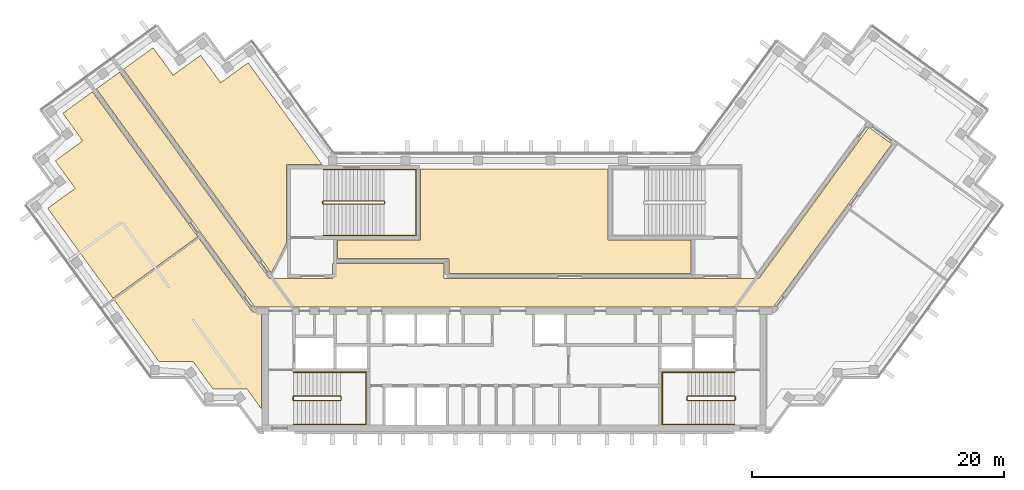
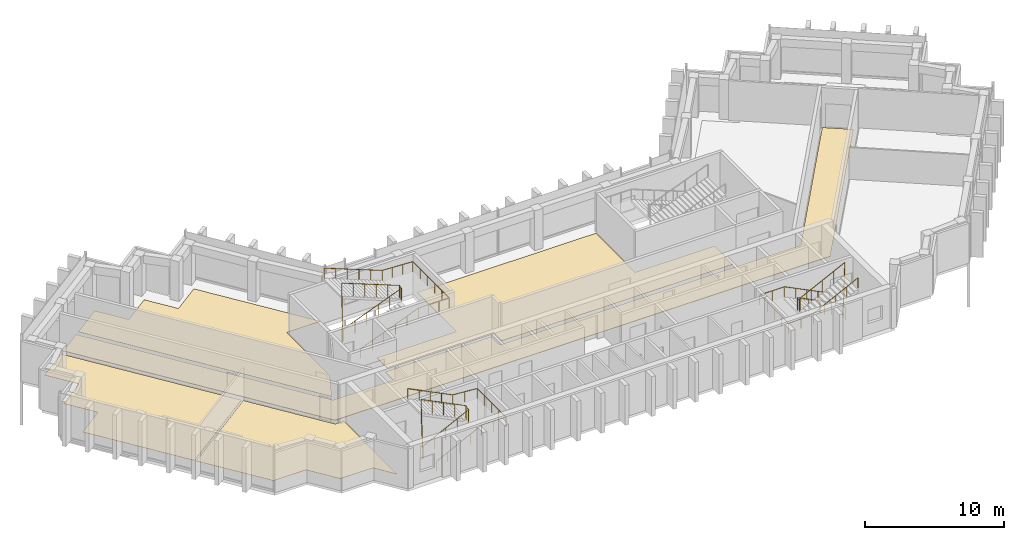
# One storey, part 12 of 13: 6 railings, 5 coverings.
"""IFC4 building model written with IfcOpenShell, lengths in metres."""

from ifc_helpers import new_model, si_unit, direction, frame, origin, origin_2d, place, context, subcontext, project, spatial, polyline, circle, outline, extrude, material, layer, layer_set, type_object, element, save


model = new_model("IFC4")

# Units and contexts
model_context = context("Model", 3, precision=1e-05, world=origin(), true_north=direction((0.0, 1.0)))
body_context = subcontext(model_context, "Body", "Model", "MODEL_VIEW")
ifc_project = project(units=[si_unit("LENGTHUNIT", "METRE"), si_unit("AREAUNIT", "SQUARE_METRE"), si_unit("VOLUMEUNIT", "CUBIC_METRE"), si_unit("PLANEANGLEUNIT", "RADIAN"), si_unit("MASSUNIT", "GRAM", prefix="KILO")], contexts=[model_context])

# Site, building, storey
site_placement = place(None, origin())
site = spatial("IfcSite", under=ifc_project, at=site_placement, CompositionType="ELEMENT")
building_placement = place(site_placement, origin())
building = spatial("IfcBuilding", under=site, at=building_placement, Name="Quipu Civic Tower", CompositionType="ELEMENT")
storey_placement = place(building_placement, frame((0.0, 0.0, 269.0)))
storey = spatial("IfcBuildingStorey", under=building, at=storey_placement, Name="L63", CompositionType="ELEMENT", Elevation=269.0)

# Coverings
ifc_material_1 = material(Name="Carpet tile on raised access floor")
ifc_layer_1 = layer(ifc_material_1, 0.02001953125)
ifc_layer_set_1 = layer_set([ifc_layer_1], Name="Carpet tile on raised access floor")
covering_type_1 = type_object("IfcCoveringType", Name="Carpet tile floor finish 20", PredefinedType="FLOORING", material=ifc_layer_set_1)
covering_1_placement = place(storey_placement, origin())
element("IfcCovering", 1, at=covering_1_placement, inside=storey, type_object=covering_type_1, Name="Carpet tile floor finish 20", PredefinedType="FLOORING", context=body_context, shape_type="SweptSolid", body=[
    extrude(outline(polyline([(-31.013916015625, 17.7451171875), (-28.658935546875, 19.455078125), (-27.073974609375, 17.27197265625), (-24.887939453125, 18.85791015625), (-23.301025390625, 16.675048828125), (-21.116943359375, 18.260986328125), (-15.238037109375, 10.169921875), (-18.070068359375, 10.1689453125), (-18.070068359375, 3.94189453125), (-19.27197265625, 1.583984375), (-31.013916015625, 17.7451171875)])), origin(), (0.0, 0.0, 1.0), 0.02001953125),
])
covering_2_placement = place(storey_placement, origin())
element("IfcCovering", 2, at=covering_2_placement, inside=storey, type_object=covering_type_1, Name="Carpet tile floor finish 20", PredefinedType="FLOORING", context=body_context, shape_type="SweptSolid", body=[
    extrude(outline(polyline([(-31.758056640625, -0.5390625), (-25.034912109375, 4.344970703125), (-20.77490234375, -1.51904296875), (-20.070068359375, -1.52001953125), (-20.070068359375, -9.195068359375), (-21.196044921875, -7.64599609375), (-23.89501953125, -7.64599609375), (-25.48193359375, -5.4619140625), (-28.181884765625, -5.4609375), (-31.758056640625, -0.5390625)])), origin(), (0.0, 0.0, 1.0), 0.02001953125),
])
covering_3_placement = place(storey_placement, origin())
element("IfcCovering", 3, at=covering_3_placement, inside=storey, type_object=covering_type_1, Name="Carpet tile floor finish 20", PredefinedType="FLOORING", context=body_context, shape_type="SweptSolid", body=[
    extrude(outline(polyline([(-37.02197265625, 6.7060546875), (-34.839111328125, 8.291015625), (-36.425048828125, 10.47607421875), (-34.240966796875, 12.06396484375), (-35.826904296875, 14.248046875), (-33.472900390625, 15.9580078125), (-25.117919921875, 4.4580078125), (-31.841064453125, -0.426025390625), (-37.02197265625, 6.7060546875)])), origin(), (0.0, 0.0, 1.0), 0.02001953125),
])
covering_4_placement = place(storey_placement, origin())
element("IfcCovering", 4, at=covering_4_placement, inside=storey, type_object=covering_type_1, Name="Carpet tile floor finish 20", PredefinedType="FLOORING", context=body_context, shape_type="SweptSolid", body=[
    extrude(outline(polyline([(-14.030029296875, 2.719970703125), (-14.030029296875, 4.179931640625), (-7.430908203125, 4.180908203125), (-7.429931640625, 9.830078125), (7.429931640625, 9.830078125), (7.430908203125, 4.179931640625), (14.030029296875, 4.179931640625), (14.030029296875, 1.52001953125), (-5.179931640625, 1.52001953125), (-5.181884765625, 2.719970703125), (-14.030029296875, 2.719970703125)])), origin(), (0.0, 0.0, 1.0), 0.02001953125),
])

# Railings
ifc_material_2 = material(Name="Stainless steel", Category="steel")
railing_type_1 = type_object("IfcRailingType", Name="Stair guard 1100", PredefinedType="GUARDRAIL", material=ifc_material_2)
railing_1_placement = place(storey_placement, frame((-17.5, -8.550048828125, 0.15380859375)))
element("IfcRailing", 5, at=railing_1_placement, inside=storey, type_object=railing_type_1, Name="Stair 1 guard", PredefinedType="GUARDRAIL", context=body_context, shape_type="SweptSolid", body=[
    extrude(circle(Radius=0.02392578125, at=origin_2d()), frame((0.0, 0.0, 1.076171875), z_axis=(0.895751851347, 0.0, 0.444554407028), x_axis=(0.0, 1.0, 0.0)), (0.0, 0.0, 1.0), 4.15283203125),
    extrude(circle(Radius=0.02392578125, at=origin_2d()), frame((3.719970703125, 0.0, 2.92236328125), z_axis=(0.707106781187, 0.707106781187, 0.0), x_axis=(-0.707106781187, 0.707106781187, 0.0)), (0.0, 0.0, 1.0), 0.07080078125),
    extrude(circle(Radius=0.02392578125, at=origin_2d()), frame((3.77001953125, 0.050048828125, 2.92236328125), z_axis=(0.0, 1.0, 0.0), x_axis=(-1.0, 0.0, 0.0)), (0.0, 0.0, 1.0), 0.25),
    extrude(circle(Radius=0.02392578125, at=origin_2d()), frame((3.77001953125, 0.300048828125, 2.92236328125), z_axis=(-0.295599637079, 0.295599637079, 0.908428152975), x_axis=(-0.707106781187, -0.707106781187, 0.0)), (0.0, 0.0, 1.0), 0.16943359375),
    extrude(circle(Radius=0.02392578125, at=origin_2d()), frame((3.719970703125, 0.35009765625, 3.076171875), z_axis=(-0.895751851347, 0.0, 0.444554407028), x_axis=(0.0, -1.0, 0.0)), (0.0, 0.0, 1.0), 4.15283203125),
    extrude(circle(Radius=0.02392578125, at=origin_2d()), frame((0.0, 0.35009765625, 4.92236328125), z_axis=(-0.012476181752, -0.074796231092, -0.997120789425), x_axis=(0.986372223864, -0.164529134168, 0.0)), (0.0, 0.0, 1.0), 4.011474609375),
    extrude(circle(Radius=0.02392578125, at=origin_2d()), frame((-0.050048828125, 0.050048828125, 0.92236328125), z_axis=(0.0, 1.0, 0.0), x_axis=(-1.0, 0.0, 0.0)), (0.0, 0.0, 1.0), 0.25),
    extrude(circle(Radius=0.02099609375, at=origin_2d()), origin(), (0.0, 0.0, 1.0), 1.052001953125),
    extrude(circle(Radius=0.02099609375, at=origin_2d()), frame((0.929931640625, 0.0, 0.46142578125)), (0.0, 0.0, 1.0), 1.052001953125),
    extrude(circle(Radius=0.02099609375, at=origin_2d()), frame((1.85986328125, 0.0, 0.923095703125)), (0.0, 0.0, 1.0), 1.052001953125),
    extrude(circle(Radius=0.02099609375, at=origin_2d()), frame((2.7900390625, 0.0, 1.384765625)), (0.0, 0.0, 1.0), 1.052001953125),
    extrude(circle(Radius=0.02099609375, at=origin_2d()), frame((3.719970703125, 0.0, 1.84619140625)), (0.0, 0.0, 1.0), 1.052001953125),
    extrude(circle(Radius=0.02099609375, at=origin_2d()), frame((3.77001953125, 0.050048828125, 1.84619140625)), (0.0, 0.0, 1.0), 1.052001953125),
    extrude(circle(Radius=0.02099609375, at=origin_2d()), frame((3.77001953125, 0.300048828125, 1.84619140625)), (0.0, 0.0, 1.0), 1.052001953125),
    extrude(circle(Radius=0.02099609375, at=origin_2d()), frame((3.719970703125, 0.35009765625, 2.0)), (0.0, 0.0, 1.0), 1.052001953125),
    extrude(circle(Radius=0.02099609375, at=origin_2d()), frame((2.7900390625, 0.35009765625, 2.46142578125)), (0.0, 0.0, 1.0), 1.052001953125),
    extrude(circle(Radius=0.02099609375, at=origin_2d()), frame((1.85986328125, 0.35009765625, 2.923095703125)), (0.0, 0.0, 1.0), 1.052001953125),
    extrude(circle(Radius=0.02099609375, at=origin_2d()), frame((0.929931640625, 0.35009765625, 3.384765625)), (0.0, 0.0, 1.0), 1.052001953125),
    extrude(circle(Radius=0.02099609375, at=origin_2d()), frame((0.0, 0.35009765625, 3.84619140625)), (0.0, 0.0, 1.0), 1.052001953125),
    extrude(circle(Radius=0.02099609375, at=origin_2d()), frame((-0.012451171875, 0.275146484375, 2.84619140625)), (0.0, 0.0, 1.0), 1.052001953125),
    extrude(circle(Radius=0.02099609375, at=origin_2d()), frame((-0.02490234375, 0.2001953125, 1.84619140625)), (0.0, 0.0, 1.0), 1.052001953125),
    extrude(circle(Radius=0.02099609375, at=origin_2d()), frame((-0.03759765625, 0.125, 0.84619140625)), (0.0, 0.0, 1.0), 1.052001953125),
    extrude(circle(Radius=0.02099609375, at=origin_2d()), frame((-0.050048828125, 0.050048828125, -0.15380859375)), (0.0, 0.0, 1.0), 1.052001953125),
    extrude(circle(Radius=0.02099609375, at=origin_2d()), frame((-0.050048828125, 0.300048828125, -0.15380859375)), (0.0, 0.0, 1.0), 1.052001953125),
])
railing_2_placement = place(storey_placement, frame((17.5, -8.199951171875, 0.15380859375)))
element("IfcRailing", 6, at=railing_2_placement, inside=storey, type_object=railing_type_1, Name="Stair 2 guard", PredefinedType="GUARDRAIL", context=body_context, shape_type="SweptSolid", body=[
    extrude(circle(Radius=0.02392578125, at=origin_2d()), frame((0.0, 0.0, 1.076171875), z_axis=(-0.895751851347, 0.0, 0.444554407028), x_axis=(0.0, -1.0, 0.0)), (0.0, 0.0, 1.0), 4.15283203125),
    extrude(circle(Radius=0.02392578125, at=origin_2d()), frame((-3.719970703125, 0.0, 2.92236328125), z_axis=(-0.707106781187, -0.707106781187, 0.0), x_axis=(0.707106781187, -0.707106781187, 0.0)), (0.0, 0.0, 1.0), 0.07080078125),
    extrude(circle(Radius=0.02392578125, at=origin_2d()), frame((-3.77001953125, -0.050048828125, 2.92236328125), z_axis=(0.0, -1.0, 0.0), x_axis=(1.0, 0.0, 0.0)), (0.0, 0.0, 1.0), 0.25),
    extrude(circle(Radius=0.02392578125, at=origin_2d()), frame((-3.77001953125, -0.300048828125, 2.92236328125), z_axis=(0.295599637079, -0.295599637079, 0.908428152975), x_axis=(0.707106781187, 0.707106781187, 0.0)), (0.0, 0.0, 1.0), 0.16943359375),
    extrude(circle(Radius=0.02392578125, at=origin_2d()), frame((-3.719970703125, -0.35009765625, 3.076171875), z_axis=(0.895751851347, 0.0, 0.444554407028), x_axis=(0.0, 1.0, 0.0)), (0.0, 0.0, 1.0), 4.15283203125),
    extrude(circle(Radius=0.02392578125, at=origin_2d()), frame((0.0, -0.35009765625, 4.92236328125), z_axis=(0.012476181752, 0.074796231092, -0.997120789425), x_axis=(-0.986372223864, 0.164529134168, 0.0)), (0.0, 0.0, 1.0), 4.011474609375),
    extrude(circle(Radius=0.02392578125, at=origin_2d()), frame((0.050048828125, -0.050048828125, 0.92236328125), z_axis=(0.0, -1.0, 0.0), x_axis=(1.0, 0.0, 0.0)), (0.0, 0.0, 1.0), 0.25),
    extrude(circle(Radius=0.02099609375, at=origin_2d()), origin(), (0.0, 0.0, 1.0), 1.052001953125),
    extrude(circle(Radius=0.02099609375, at=origin_2d()), frame((-0.929931640625, 0.0, 0.46142578125)), (0.0, 0.0, 1.0), 1.052001953125),
    extrude(circle(Radius=0.02099609375, at=origin_2d()), frame((-1.85986328125, 0.0, 0.923095703125)), (0.0, 0.0, 1.0), 1.052001953125),
    extrude(circle(Radius=0.02099609375, at=origin_2d()), frame((-2.7900390625, 0.0, 1.384765625)), (0.0, 0.0, 1.0), 1.052001953125),
    extrude(circle(Radius=0.02099609375, at=origin_2d()), frame((-3.719970703125, 0.0, 1.84619140625)), (0.0, 0.0, 1.0), 1.052001953125),
    extrude(circle(Radius=0.02099609375, at=origin_2d()), frame((-3.77001953125, -0.050048828125, 1.84619140625)), (0.0, 0.0, 1.0), 1.052001953125),
    extrude(circle(Radius=0.02099609375, at=origin_2d()), frame((-3.77001953125, -0.300048828125, 1.84619140625)), (0.0, 0.0, 1.0), 1.052001953125),
    extrude(circle(Radius=0.02099609375, at=origin_2d()), frame((-3.719970703125, -0.35009765625, 2.0)), (0.0, 0.0, 1.0), 1.052001953125),
    extrude(circle(Radius=0.02099609375, at=origin_2d()), frame((-2.7900390625, -0.35009765625, 2.46142578125)), (0.0, 0.0, 1.0), 1.052001953125),
    extrude(circle(Radius=0.02099609375, at=origin_2d()), frame((-1.85986328125, -0.35009765625, 2.923095703125)), (0.0, 0.0, 1.0), 1.052001953125),
    extrude(circle(Radius=0.02099609375, at=origin_2d()), frame((-0.929931640625, -0.35009765625, 3.384765625)), (0.0, 0.0, 1.0), 1.052001953125),
    extrude(circle(Radius=0.02099609375, at=origin_2d()), frame((0.0, -0.35009765625, 3.84619140625)), (0.0, 0.0, 1.0), 1.052001953125),
    extrude(circle(Radius=0.02099609375, at=origin_2d()), frame((0.012451171875, -0.275146484375, 2.84619140625)), (0.0, 0.0, 1.0), 1.052001953125),
    extrude(circle(Radius=0.02099609375, at=origin_2d()), frame((0.02490234375, -0.2001953125, 1.84619140625)), (0.0, 0.0, 1.0), 1.052001953125),
    extrude(circle(Radius=0.02099609375, at=origin_2d()), frame((0.03759765625, -0.125, 0.84619140625)), (0.0, 0.0, 1.0), 1.052001953125),
    extrude(circle(Radius=0.02099609375, at=origin_2d()), frame((0.050048828125, -0.050048828125, -0.15380859375)), (0.0, 0.0, 1.0), 1.052001953125),
    extrude(circle(Radius=0.02099609375, at=origin_2d()), frame((0.050048828125, -0.300048828125, -0.15380859375)), (0.0, 0.0, 1.0), 1.052001953125),
])
railing_3_placement = place(storey_placement, frame((-15.14990234375, 7.050048828125, 0.11767578125)))
element("IfcRailing", 7, at=railing_3_placement, inside=storey, type_object=railing_type_1, Name="Stair 3 guard", PredefinedType="GUARDRAIL", context=body_context, shape_type="SweptSolid", body=[
    extrude(circle(Radius=0.02392578125, at=origin_2d()), frame((0.0, 0.0, 1.076171875), z_axis=(0.930970042603, 0.0, 0.365095576219), x_axis=(0.0, 1.0, 0.0)), (0.0, 0.0, 1.0), 5.15576171875),
    extrude(circle(Radius=0.02392578125, at=origin_2d()), frame((4.7998046875, 0.0, 2.95849609375), z_axis=(0.707106781187, 0.707106781187, 0.0), x_axis=(-0.707106781187, 0.707106781187, 0.0)), (0.0, 0.0, 1.0), 0.07080078125),
    extrude(circle(Radius=0.02392578125, at=origin_2d()), frame((4.849853515625, 0.050048828125, 2.95849609375), z_axis=(0.0, 1.0, 0.0), x_axis=(-1.0, 0.0, 0.0)), (0.0, 0.0, 1.0), 0.14990234375),
    extrude(circle(Radius=0.02392578125, at=origin_2d()), frame((4.849853515625, 0.199951171875, 2.95849609375), z_axis=(-0.364463019033, 0.364463019033, 0.856932561824), x_axis=(-0.707106781187, -0.707106781187, 0.0)), (0.0, 0.0, 1.0), 0.13720703125),
    extrude(circle(Radius=0.02392578125, at=origin_2d()), frame((4.7998046875, 0.25, 3.076171875), z_axis=(-0.930970042603, 0.0, 0.365095576219), x_axis=(0.0, -1.0, 0.0)), (0.0, 0.0, 1.0), 5.15576171875),
    extrude(circle(Radius=0.02392578125, at=origin_2d()), frame((0.0, 0.25, 4.95849609375), z_axis=(-0.012495627992, -0.049921557685, -0.998674970829), x_axis=(0.970072785993, -0.242814311512, 0.0)), (0.0, 0.0, 1.0), 4.00537109375),
    extrude(circle(Radius=0.02392578125, at=origin_2d()), frame((-0.050048828125, 0.050048828125, 0.95849609375), z_axis=(0.0, 1.0, 0.0), x_axis=(-1.0, 0.0, 0.0)), (0.0, 0.0, 1.0), 0.14990234375),
    extrude(circle(Radius=0.02099609375, at=origin_2d()), origin(), (0.0, 0.0, 1.0), 1.052001953125),
    extrude(circle(Radius=0.02099609375, at=origin_2d()), frame((0.9599609375, 0.0, 0.37646484375)), (0.0, 0.0, 1.0), 1.052001953125),
    extrude(circle(Radius=0.02099609375, at=origin_2d()), frame((1.919921875, 0.0, 0.7529296875)), (0.0, 0.0, 1.0), 1.052001953125),
    extrude(circle(Radius=0.02099609375, at=origin_2d()), frame((2.8798828125, 0.0, 1.12939453125)), (0.0, 0.0, 1.0), 1.052001953125),
    extrude(circle(Radius=0.02099609375, at=origin_2d()), frame((3.83984375, 0.0, 1.505859375)), (0.0, 0.0, 1.0), 1.052001953125),
    extrude(circle(Radius=0.02099609375, at=origin_2d()), frame((4.7998046875, 0.0, 1.88232421875)), (0.0, 0.0, 1.0), 1.052001953125),
    extrude(circle(Radius=0.02099609375, at=origin_2d()), frame((4.849853515625, 0.050048828125, 1.88232421875)), (0.0, 0.0, 1.0), 1.052001953125),
    extrude(circle(Radius=0.02099609375, at=origin_2d()), frame((4.849853515625, 0.199951171875, 1.88232421875)), (0.0, 0.0, 1.0), 1.052001953125),
    extrude(circle(Radius=0.02099609375, at=origin_2d()), frame((4.7998046875, 0.25, 2.0)), (0.0, 0.0, 1.0), 1.052001953125),
    extrude(circle(Radius=0.02099609375, at=origin_2d()), frame((3.83984375, 0.25, 2.37646484375)), (0.0, 0.0, 1.0), 1.052001953125),
    extrude(circle(Radius=0.02099609375, at=origin_2d()), frame((2.8798828125, 0.25, 2.7529296875)), (0.0, 0.0, 1.0), 1.052001953125),
    extrude(circle(Radius=0.02099609375, at=origin_2d()), frame((1.919921875, 0.25, 3.12939453125)), (0.0, 0.0, 1.0), 1.052001953125),
    extrude(circle(Radius=0.02099609375, at=origin_2d()), frame((0.9599609375, 0.25, 3.505859375)), (0.0, 0.0, 1.0), 1.052001953125),
    extrude(circle(Radius=0.02099609375, at=origin_2d()), frame((0.0, 0.25, 3.88232421875)), (0.0, 0.0, 1.0), 1.052001953125),
    extrude(circle(Radius=0.02099609375, at=origin_2d()), frame((-0.012451171875, 0.199951171875, 2.88232421875)), (0.0, 0.0, 1.0), 1.052001953125),
    extrude(circle(Radius=0.02099609375, at=origin_2d()), frame((-0.02490234375, 0.14990234375, 1.88232421875)), (0.0, 0.0, 1.0), 1.052001953125),
    extrude(circle(Radius=0.02099609375, at=origin_2d()), frame((-0.03759765625, 0.10009765625, 0.88232421875)), (0.0, 0.0, 1.0), 1.052001953125),
    extrude(circle(Radius=0.02099609375, at=origin_2d()), frame((-0.050048828125, 0.050048828125, -0.11767578125)), (0.0, 0.0, 1.0), 1.052001953125),
    extrude(circle(Radius=0.02099609375, at=origin_2d()), frame((-0.050048828125, 0.199951171875, -0.11767578125)), (0.0, 0.0, 1.0), 1.052001953125),
])
ifc_material_3 = material(Name="Stainless steel", Category="steel")
railing_type_2 = type_object("IfcRailingType", Name="Stair handrail", PredefinedType="HANDRAIL", material=ifc_material_3)
railing_4_placement = place(storey_placement, frame((-17.5, -10.449951171875, 0.15380859375)))
element("IfcRailing", 8, at=railing_4_placement, inside=storey, type_object=railing_type_2, Name="Stair 1 handrail", PredefinedType="HANDRAIL", context=body_context, shape_type="SweptSolid", body=[
    extrude(circle(Radius=0.02392578125, at=origin_2d()), frame((0.0, 0.0, 0.8759765625), z_axis=(0.895751851347, 0.0, 0.444554407028), x_axis=(0.0, 1.0, 0.0)), (0.0, 0.0, 1.0), 4.15283203125),
    extrude(circle(Radius=0.02392578125, at=origin_2d()), frame((3.719970703125, 0.0, 2.72216796875), z_axis=(1.0, 0.0, 0.0), x_axis=(0.0, 1.0, 0.0)), (0.0, 0.0, 1.0), 2.030029296875),
    extrude(circle(Radius=0.02392578125, at=origin_2d()), frame((5.75, 0.0, 2.72216796875), z_axis=(0.0, 1.0, 0.0), x_axis=(-1.0, 0.0, 0.0)), (0.0, 0.0, 1.0), 4.14990234375),
    extrude(circle(Radius=0.02392578125, at=origin_2d()), frame((5.75, 4.14990234375, 2.72216796875), z_axis=(-0.997142003663, 0.0, 0.075550145798), x_axis=(0.0, -1.0, 0.0)), (0.0, 0.0, 1.0), 2.035888671875),
    extrude(circle(Radius=0.02392578125, at=origin_2d()), frame((3.719970703125, 4.14990234375, 2.8759765625), z_axis=(-0.895751851347, 0.0, 0.444554407028), x_axis=(0.0, -1.0, 0.0)), (0.0, 0.0, 1.0), 4.15283203125),
    extrude(circle(Radius=0.02099609375, at=origin_2d()), origin(), (0.0, 0.0, 1.0), 0.851806640625),
    extrude(circle(Radius=0.02099609375, at=origin_2d()), frame((0.929931640625, 0.0, 0.46142578125)), (0.0, 0.0, 1.0), 0.851806640625),
    extrude(circle(Radius=0.02099609375, at=origin_2d()), frame((1.85986328125, 0.0, 0.923095703125)), (0.0, 0.0, 1.0), 0.851806640625),
    extrude(circle(Radius=0.02099609375, at=origin_2d()), frame((2.7900390625, 0.0, 1.384765625)), (0.0, 0.0, 1.0), 0.851806640625),
    extrude(circle(Radius=0.02099609375, at=origin_2d()), frame((3.719970703125, 0.0, 1.84619140625)), (0.0, 0.0, 1.0), 0.851806640625),
    extrude(circle(Radius=0.02099609375, at=origin_2d()), frame((4.73486328125, 0.0, 1.84619140625)), (0.0, 0.0, 1.0), 0.851806640625),
    extrude(circle(Radius=0.02099609375, at=origin_2d()), frame((5.75, 0.0, 1.84619140625)), (0.0, 0.0, 1.0), 0.851806640625),
    extrude(circle(Radius=0.02099609375, at=origin_2d()), frame((5.75, 1.03759765625, 1.84619140625)), (0.0, 0.0, 1.0), 0.851806640625),
    extrude(circle(Radius=0.02099609375, at=origin_2d()), frame((5.75, 2.074951171875, 1.84619140625)), (0.0, 0.0, 1.0), 0.851806640625),
    extrude(circle(Radius=0.02099609375, at=origin_2d()), frame((5.75, 3.1123046875, 1.84619140625)), (0.0, 0.0, 1.0), 0.851806640625),
    extrude(circle(Radius=0.02099609375, at=origin_2d()), frame((5.75, 4.14990234375, 1.84619140625)), (0.0, 0.0, 1.0), 0.851806640625),
    extrude(circle(Radius=0.02099609375, at=origin_2d()), frame((4.73486328125, 4.14990234375, 1.923095703125)), (0.0, 0.0, 1.0), 0.851806640625),
    extrude(circle(Radius=0.02099609375, at=origin_2d()), frame((3.719970703125, 4.14990234375, 2.0)), (0.0, 0.0, 1.0), 0.851806640625),
    extrude(circle(Radius=0.02099609375, at=origin_2d()), frame((2.7900390625, 4.14990234375, 2.46142578125)), (0.0, 0.0, 1.0), 0.851806640625),
    extrude(circle(Radius=0.02099609375, at=origin_2d()), frame((1.85986328125, 4.14990234375, 2.923095703125)), (0.0, 0.0, 1.0), 0.851806640625),
    extrude(circle(Radius=0.02099609375, at=origin_2d()), frame((0.929931640625, 4.14990234375, 3.384765625)), (0.0, 0.0, 1.0), 0.851806640625),
    extrude(circle(Radius=0.02099609375, at=origin_2d()), frame((0.0, 4.14990234375, 3.84619140625)), (0.0, 0.0, 1.0), 0.851806640625),
])
railing_5_placement = place(storey_placement, frame((17.5, -6.300048828125, 0.15380859375)))
element("IfcRailing", 9, at=railing_5_placement, inside=storey, type_object=railing_type_2, Name="Stair 2 handrail", PredefinedType="HANDRAIL", context=body_context, shape_type="SweptSolid", body=[
    extrude(circle(Radius=0.02392578125, at=origin_2d()), frame((0.0, 0.0, 0.8759765625), z_axis=(-0.895751851347, 0.0, 0.444554407028), x_axis=(0.0, -1.0, 0.0)), (0.0, 0.0, 1.0), 4.15283203125),
    extrude(circle(Radius=0.02392578125, at=origin_2d()), frame((-3.719970703125, 0.0, 2.72216796875), z_axis=(-1.0, 0.0, 0.0), x_axis=(0.0, -1.0, 0.0)), (0.0, 0.0, 1.0), 2.030029296875),
    extrude(circle(Radius=0.02392578125, at=origin_2d()), frame((-5.75, 0.0, 2.72216796875), z_axis=(0.0, -1.0, 0.0), x_axis=(1.0, 0.0, 0.0)), (0.0, 0.0, 1.0), 4.14990234375),
    extrude(circle(Radius=0.02392578125, at=origin_2d()), frame((-5.75, -4.14990234375, 2.72216796875), z_axis=(0.997142003663, 0.0, 0.075550145798), x_axis=(0.0, 1.0, 0.0)), (0.0, 0.0, 1.0), 2.035888671875),
    extrude(circle(Radius=0.02392578125, at=origin_2d()), frame((-3.719970703125, -4.14990234375, 2.8759765625), z_axis=(0.895751851347, 0.0, 0.444554407028), x_axis=(0.0, 1.0, 0.0)), (0.0, 0.0, 1.0), 4.15283203125),
    extrude(circle(Radius=0.02099609375, at=origin_2d()), origin(), (0.0, 0.0, 1.0), 0.851806640625),
    extrude(circle(Radius=0.02099609375, at=origin_2d()), frame((-0.929931640625, 0.0, 0.46142578125)), (0.0, 0.0, 1.0), 0.851806640625),
    extrude(circle(Radius=0.02099609375, at=origin_2d()), frame((-1.85986328125, 0.0, 0.923095703125)), (0.0, 0.0, 1.0), 0.851806640625),
    extrude(circle(Radius=0.02099609375, at=origin_2d()), frame((-2.7900390625, 0.0, 1.384765625)), (0.0, 0.0, 1.0), 0.851806640625),
    extrude(circle(Radius=0.02099609375, at=origin_2d()), frame((-3.719970703125, 0.0, 1.84619140625)), (0.0, 0.0, 1.0), 0.851806640625),
    extrude(circle(Radius=0.02099609375, at=origin_2d()), frame((-4.73486328125, 0.0, 1.84619140625)), (0.0, 0.0, 1.0), 0.851806640625),
    extrude(circle(Radius=0.02099609375, at=origin_2d()), frame((-5.75, 0.0, 1.84619140625)), (0.0, 0.0, 1.0), 0.851806640625),
    extrude(circle(Radius=0.02099609375, at=origin_2d()), frame((-5.75, -1.03759765625, 1.84619140625)), (0.0, 0.0, 1.0), 0.851806640625),
    extrude(circle(Radius=0.02099609375, at=origin_2d()), frame((-5.75, -2.074951171875, 1.84619140625)), (0.0, 0.0, 1.0), 0.851806640625),
    extrude(circle(Radius=0.02099609375, at=origin_2d()), frame((-5.75, -3.1123046875, 1.84619140625)), (0.0, 0.0, 1.0), 0.851806640625),
    extrude(circle(Radius=0.02099609375, at=origin_2d()), frame((-5.75, -4.14990234375, 1.84619140625)), (0.0, 0.0, 1.0), 0.851806640625),
    extrude(circle(Radius=0.02099609375, at=origin_2d()), frame((-4.73486328125, -4.14990234375, 1.923095703125)), (0.0, 0.0, 1.0), 0.851806640625),
    extrude(circle(Radius=0.02099609375, at=origin_2d()), frame((-3.719970703125, -4.14990234375, 2.0)), (0.0, 0.0, 1.0), 0.851806640625),
    extrude(circle(Radius=0.02099609375, at=origin_2d()), frame((-2.7900390625, -4.14990234375, 2.46142578125)), (0.0, 0.0, 1.0), 0.851806640625),
    extrude(circle(Radius=0.02099609375, at=origin_2d()), frame((-1.85986328125, -4.14990234375, 2.923095703125)), (0.0, 0.0, 1.0), 0.851806640625),
    extrude(circle(Radius=0.02099609375, at=origin_2d()), frame((-0.929931640625, -4.14990234375, 3.384765625)), (0.0, 0.0, 1.0), 0.851806640625),
    extrude(circle(Radius=0.02099609375, at=origin_2d()), frame((0.0, -4.14990234375, 3.84619140625)), (0.0, 0.0, 1.0), 0.851806640625),
])
railing_6_placement = place(storey_placement, frame((-15.14990234375, 4.550048828125, 0.11767578125)))
element("IfcRailing", 10, at=railing_6_placement, inside=storey, type_object=railing_type_2, Name="Stair 3 handrail", PredefinedType="HANDRAIL", context=body_context, shape_type="SweptSolid", body=[
    extrude(circle(Radius=0.02392578125, at=origin_2d()), frame((0.0, 0.0, 0.8759765625), z_axis=(0.930970042603, 0.0, 0.365095576219), x_axis=(0.0, 1.0, 0.0)), (0.0, 0.0, 1.0), 5.15576171875),
    extrude(circle(Radius=0.02392578125, at=origin_2d()), frame((4.7998046875, 0.0, 2.75830078125), z_axis=(1.0, 0.0, 0.0), x_axis=(0.0, 1.0, 0.0)), (0.0, 0.0, 1.0), 2.550048828125),
    extrude(circle(Radius=0.02392578125, at=origin_2d()), frame((7.349853515625, 0.0, 2.75830078125), z_axis=(0.0, 1.0, 0.0), x_axis=(-1.0, 0.0, 0.0)), (0.0, 0.0, 1.0), 5.25),
    extrude(circle(Radius=0.02392578125, at=origin_2d()), frame((7.349853515625, 5.25, 2.75830078125), z_axis=(-0.998936948642, 0.0, 0.04609742549), x_axis=(0.0, -1.0, 0.0)), (0.0, 0.0, 1.0), 2.552734375),
    extrude(circle(Radius=0.02392578125, at=origin_2d()), frame((4.7998046875, 5.25, 2.8759765625), z_axis=(-0.930970042603, 0.0, 0.365095576219), x_axis=(0.0, -1.0, 0.0)), (0.0, 0.0, 1.0), 5.15576171875),
    extrude(circle(Radius=0.02099609375, at=origin_2d()), origin(), (0.0, 0.0, 1.0), 0.851806640625),
    extrude(circle(Radius=0.02099609375, at=origin_2d()), frame((0.9599609375, 0.0, 0.37646484375)), (0.0, 0.0, 1.0), 0.851806640625),
    extrude(circle(Radius=0.02099609375, at=origin_2d()), frame((1.919921875, 0.0, 0.7529296875)), (0.0, 0.0, 1.0), 0.851806640625),
    extrude(circle(Radius=0.02099609375, at=origin_2d()), frame((2.8798828125, 0.0, 1.12939453125)), (0.0, 0.0, 1.0), 0.851806640625),
    extrude(circle(Radius=0.02099609375, at=origin_2d()), frame((3.83984375, 0.0, 1.505859375)), (0.0, 0.0, 1.0), 0.851806640625),
    extrude(circle(Radius=0.02099609375, at=origin_2d()), frame((4.7998046875, 0.0, 1.88232421875)), (0.0, 0.0, 1.0), 0.851806640625),
    extrude(circle(Radius=0.02099609375, at=origin_2d()), frame((5.64990234375, 0.0, 1.88232421875)), (0.0, 0.0, 1.0), 0.851806640625),
    extrude(circle(Radius=0.02099609375, at=origin_2d()), frame((6.499755859375, 0.0, 1.88232421875)), (0.0, 0.0, 1.0), 0.851806640625),
    extrude(circle(Radius=0.02099609375, at=origin_2d()), frame((7.349853515625, 0.0, 1.88232421875)), (0.0, 0.0, 1.0), 0.851806640625),
    extrude(circle(Radius=0.02099609375, at=origin_2d()), frame((7.349853515625, 1.050048828125, 1.88232421875)), (0.0, 0.0, 1.0), 0.851806640625),
    extrude(circle(Radius=0.02099609375, at=origin_2d()), frame((7.349853515625, 2.10009765625, 1.88232421875)), (0.0, 0.0, 1.0), 0.851806640625),
    extrude(circle(Radius=0.02099609375, at=origin_2d()), frame((7.349853515625, 3.14990234375, 1.88232421875)), (0.0, 0.0, 1.0), 0.851806640625),
    extrude(circle(Radius=0.02099609375, at=origin_2d()), frame((7.349853515625, 4.199951171875, 1.88232421875)), (0.0, 0.0, 1.0), 0.851806640625),
    extrude(circle(Radius=0.02099609375, at=origin_2d()), frame((7.349853515625, 5.25, 1.88232421875)), (0.0, 0.0, 1.0), 0.851806640625),
    extrude(circle(Radius=0.02099609375, at=origin_2d()), frame((6.499755859375, 5.25, 1.921630859375)), (0.0, 0.0, 1.0), 0.851806640625),
    extrude(circle(Radius=0.02099609375, at=origin_2d()), frame((5.64990234375, 5.25, 1.960693359375)), (0.0, 0.0, 1.0), 0.851806640625),
    extrude(circle(Radius=0.02099609375, at=origin_2d()), frame((4.7998046875, 5.25, 2.0)), (0.0, 0.0, 1.0), 0.851806640625),
    extrude(circle(Radius=0.02099609375, at=origin_2d()), frame((3.83984375, 5.25, 2.37646484375)), (0.0, 0.0, 1.0), 0.851806640625),
    extrude(circle(Radius=0.02099609375, at=origin_2d()), frame((2.8798828125, 5.25, 2.7529296875)), (0.0, 0.0, 1.0), 0.851806640625),
    extrude(circle(Radius=0.02099609375, at=origin_2d()), frame((1.919921875, 5.25, 3.12939453125)), (0.0, 0.0, 1.0), 0.851806640625),
    extrude(circle(Radius=0.02099609375, at=origin_2d()), frame((0.9599609375, 5.25, 3.505859375)), (0.0, 0.0, 1.0), 0.851806640625),
    extrude(circle(Radius=0.02099609375, at=origin_2d()), frame((0.0, 5.25, 3.88232421875)), (0.0, 0.0, 1.0), 0.851806640625),
])

# Covering
ifc_material_4 = material(Name="Terrazzo floor finish")
ifc_layer_2 = layer(ifc_material_4, 0.0400390625)
ifc_layer_set_2 = layer_set([ifc_layer_2], Name="Terrazzo floor finish")
covering_type_2 = type_object("IfcCoveringType", Name="Terrazzo floor finish 40", PredefinedType="FLOORING", material=ifc_layer_set_2)
covering_5_placement = place(storey_placement, origin())
element("IfcCovering", 11, at=covering_5_placement, inside=storey, type_object=covering_type_2, Name="Terrazzo floor finish 40", PredefinedType="FLOORING", context=body_context, shape_type="SweptSolid", body=[
    extrude(outline(polyline([(-5.570068359375, 1.1298828125), (19.425048828125, 1.1298828125), (28.155029296875, 13.14697265625), (29.98291015625, 11.819091796875), (20.574951171875, -1.1298828125), (-20.574951171875, -1.1298828125), (-33.157958984375, 16.18798828125), (-31.3291015625, 17.51611328125), (-19.425048828125, 1.1298828125), (-14.429931640625, 1.1298828125), (-14.429931640625, 2.330078125), (-5.570068359375, 2.330078125), (-5.570068359375, 1.1298828125)])), origin(), (0.0, 0.0, 1.0), 0.0400390625),
])

save(model, "model.ifc")
